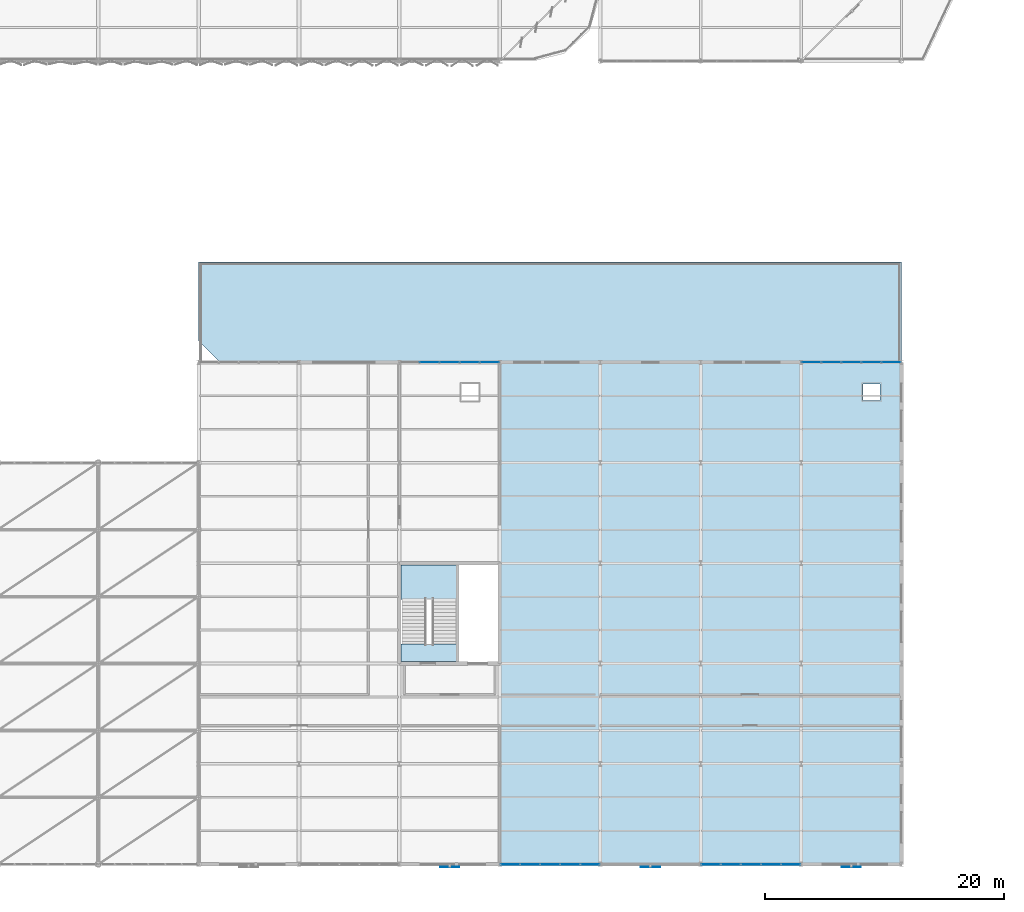
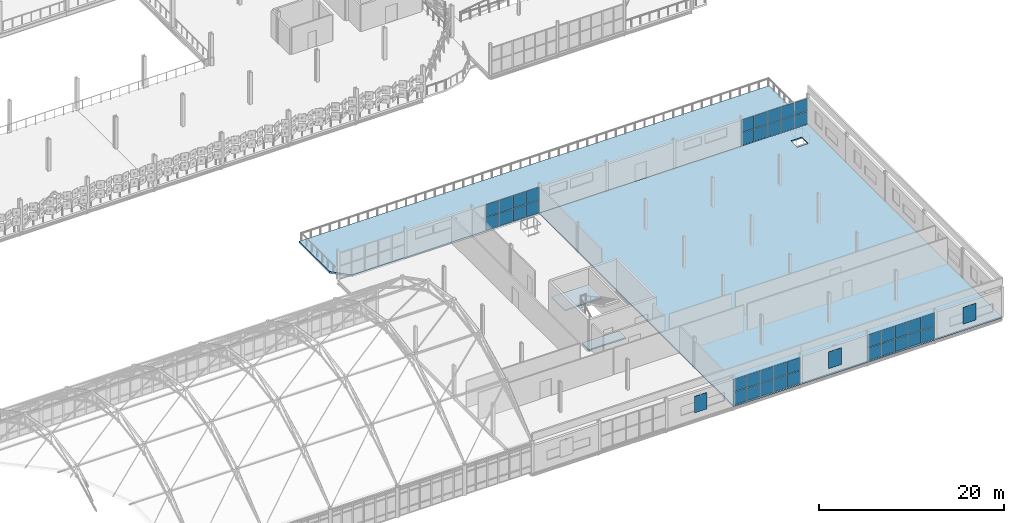
# One storey, part 148 of 184: 41 plates, 4 slabs, 5 elements without a shape of their own.
"""IFC4 building model written with IfcOpenShell, lengths in metres."""

from ifc_helpers import new_model, si_unit, direction, frame, origin, origin_2d, place, context, subcontext, project, spatial, polyline, rectangle, outline, extrude, material, layer, layer_set, type_object, element, aggregate, save


model = new_model("IFC4")

# Units and contexts
model_context = context("Model", 3, precision=1e-05, world=origin(), true_north=direction((0.0, 1.0)))
body_context = subcontext(model_context, "Body", "Model", "MODEL_VIEW")
ifc_project = project(units=[si_unit("LENGTHUNIT", "METRE"), si_unit("AREAUNIT", "SQUARE_METRE"), si_unit("VOLUMEUNIT", "CUBIC_METRE"), si_unit("PLANEANGLEUNIT", "RADIAN"), si_unit("MASSUNIT", "GRAM", prefix="KILO")], contexts=[model_context])

# Site, building, storey
site_placement = place(None, origin())
site = spatial("IfcSite", under=ifc_project, at=site_placement, CompositionType="ELEMENT")
building_placement = place(site_placement, origin())
building = spatial("IfcBuilding", under=site, at=building_placement, Name="Qalvenar Corner Mobility Hub", CompositionType="ELEMENT")
storey_placement = place(building_placement, frame((0.0, 0.0, 9.0)))
storey = spatial("IfcBuildingStorey", under=building, at=storey_placement, Name="L02", CompositionType="ELEMENT", Elevation=9.0)

# Curtain wall, plates
ifc_material_1 = material(Name="Anodised Aluminium and Low-E Glazing", Category="aluminium")
ifc_layer_1 = layer(ifc_material_1, 0.14990234375)
ifc_layer_set_1 = layer_set([ifc_layer_1], Name="Anodised Aluminium and Low-E Glazing")
curtain_wall_type = type_object("IfcCurtainWallType", Name="CW-WKS-84X44", PredefinedType="NOTDEFINED", material=ifc_layer_set_1)
curtain_wall_1_placement = place(storey_placement, origin())
curtain_wall_1 = element("IfcCurtainWall", 1, at=curtain_wall_1_placement, inside=storey, type_object=curtain_wall_type, Name="Glazed Curtain Wall CW-V6-L02-S3", PredefinedType="NOTDEFINED")
ifc_material_2 = material(Name="Solar-Control Low-E Double Glazing", Category="glass")
ifc_layer_2 = layer(ifc_material_2, 0.028076171875)
ifc_layer_set_2 = layer_set([ifc_layer_2], Name="Solar-Control Low-E Double Glazing")
plate_type_1 = type_object("IfcPlateType", Name="PLT-CWP-GLZ1", PredefinedType="CURTAIN_PANEL", material=ifc_layer_set_2)
plate_1_placement = place(storey_placement, frame((135.2548828125, 0.0, 0.054931640625), z_axis=(0.0, 0.0, 1.0), x_axis=(1.0, 0.0, 0.0)))
plate_1 = element("IfcPlate", 2, at=plate_1_placement, type_object=plate_type_1, Name="CW-09 panel 1.1", PredefinedType="CURTAIN_PANEL", context=body_context, shape_type="SweptSolid", body=[
    extrude(rectangle(XDim=1.590087890625, YDim=0.028076171875, at=origin_2d()), origin(), (0.0, 0.0, 1.0), 1.6826171875),
])
plate_2_placement = place(storey_placement, frame((135.2548828125, 0.0, 1.79248046875), z_axis=(0.0, 0.0, 1.0), x_axis=(1.0, 0.0, 0.0)))
plate_2 = element("IfcPlate", 3, at=plate_2_placement, type_object=plate_type_1, Name="CW-09 panel 1.2", PredefinedType="CURTAIN_PANEL", context=body_context, shape_type="SweptSolid", body=[
    extrude(rectangle(XDim=1.590087890625, YDim=0.028076171875, at=origin_2d()), origin(), (0.0, 0.0, 1.0), 1.6826171875),
])
plate_3_placement = place(storey_placement, frame((136.919921875, 0.0, 0.054931640625), z_axis=(0.0, 0.0, 1.0), x_axis=(1.0, 0.0, 0.0)))
plate_3 = element("IfcPlate", 4, at=plate_3_placement, type_object=plate_type_1, Name="CW-09 panel 2.1", PredefinedType="CURTAIN_PANEL", context=body_context, shape_type="SweptSolid", body=[
    extrude(rectangle(XDim=1.6201171875, YDim=0.028076171875, at=origin_2d()), origin(), (0.0, 0.0, 1.0), 1.6826171875),
])
plate_4_placement = place(storey_placement, frame((136.919921875, 0.0, 1.79248046875), z_axis=(0.0, 0.0, 1.0), x_axis=(1.0, 0.0, 0.0)))
plate_4 = element("IfcPlate", 5, at=plate_4_placement, type_object=plate_type_1, Name="CW-09 panel 2.2", PredefinedType="CURTAIN_PANEL", context=body_context, shape_type="SweptSolid", body=[
    extrude(rectangle(XDim=1.6201171875, YDim=0.028076171875, at=origin_2d()), origin(), (0.0, 0.0, 1.0), 1.6826171875),
])
plate_5_placement = place(storey_placement, frame((138.60009765625, 0.0, 0.054931640625), z_axis=(0.0, 0.0, 1.0), x_axis=(1.0, 0.0, 0.0)))
plate_5 = element("IfcPlate", 6, at=plate_5_placement, type_object=plate_type_1, Name="CW-09 panel 3.1", PredefinedType="CURTAIN_PANEL", context=body_context, shape_type="SweptSolid", body=[
    extrude(rectangle(XDim=1.6201171875, YDim=0.028076171875, at=origin_2d()), origin(), (0.0, 0.0, 1.0), 1.6826171875),
])
plate_6_placement = place(storey_placement, frame((138.60009765625, 0.0, 1.79248046875), z_axis=(0.0, 0.0, 1.0), x_axis=(1.0, 0.0, 0.0)))
plate_6 = element("IfcPlate", 7, at=plate_6_placement, type_object=plate_type_1, Name="CW-09 panel 3.2", PredefinedType="CURTAIN_PANEL", context=body_context, shape_type="SweptSolid", body=[
    extrude(rectangle(XDim=1.6201171875, YDim=0.028076171875, at=origin_2d()), origin(), (0.0, 0.0, 1.0), 1.6826171875),
])
plate_7_placement = place(storey_placement, frame((140.280029296875, 0.0, 0.054931640625), z_axis=(0.0, 0.0, 1.0), x_axis=(1.0, 0.0, 0.0)))
plate_7 = element("IfcPlate", 8, at=plate_7_placement, type_object=plate_type_1, Name="CW-09 panel 4.1", PredefinedType="CURTAIN_PANEL", context=body_context, shape_type="SweptSolid", body=[
    extrude(rectangle(XDim=1.6201171875, YDim=0.028076171875, at=origin_2d()), origin(), (0.0, 0.0, 1.0), 1.6826171875),
])
plate_8_placement = place(storey_placement, frame((140.280029296875, 0.0, 1.79248046875), z_axis=(0.0, 0.0, 1.0), x_axis=(1.0, 0.0, 0.0)))
plate_8 = element("IfcPlate", 9, at=plate_8_placement, type_object=plate_type_1, Name="CW-09 panel 4.2", PredefinedType="CURTAIN_PANEL", context=body_context, shape_type="SweptSolid", body=[
    extrude(rectangle(XDim=1.6201171875, YDim=0.028076171875, at=origin_2d()), origin(), (0.0, 0.0, 1.0), 1.6826171875),
])
plate_9_placement = place(storey_placement, frame((141.945068359375, 0.0, 0.054931640625), z_axis=(0.0, 0.0, 1.0), x_axis=(1.0, 0.0, 0.0)))
plate_9 = element("IfcPlate", 10, at=plate_9_placement, type_object=plate_type_1, Name="CW-09 panel 5.1", PredefinedType="CURTAIN_PANEL", context=body_context, shape_type="SweptSolid", body=[
    extrude(rectangle(XDim=1.590087890625, YDim=0.028076171875, at=origin_2d()), origin(), (0.0, 0.0, 1.0), 1.6826171875),
])
plate_10_placement = place(storey_placement, frame((141.945068359375, 0.0, 1.79248046875), z_axis=(0.0, 0.0, 1.0), x_axis=(1.0, 0.0, 0.0)))
plate_10 = element("IfcPlate", 11, at=plate_10_placement, type_object=plate_type_1, Name="CW-09 panel 5.2", PredefinedType="CURTAIN_PANEL", context=body_context, shape_type="SweptSolid", body=[
    extrude(rectangle(XDim=1.590087890625, YDim=0.028076171875, at=origin_2d()), origin(), (0.0, 0.0, 1.0), 1.6826171875),
])
aggregate(curtain_wall_1, [plate_1, plate_2, plate_3, plate_4, plate_5, plate_6, plate_7, plate_8, plate_9, plate_10])

curtain_wall_2_placement = place(storey_placement, origin())
curtain_wall_2 = element("IfcCurtainWall", 12, at=curtain_wall_2_placement, inside=storey, type_object=curtain_wall_type, Name="Glazed Curtain Wall CW-V6-L02-S5", PredefinedType="NOTDEFINED")
plate_11_placement = place(storey_placement, frame((152.054931640625, 0.0, 0.054931640625), z_axis=(0.0, 0.0, 1.0), x_axis=(1.0, 0.0, 0.0)))
plate_11 = element("IfcPlate", 13, at=plate_11_placement, type_object=plate_type_1, Name="CW-09 panel 1.1", PredefinedType="CURTAIN_PANEL", context=body_context, shape_type="SweptSolid", body=[
    extrude(rectangle(XDim=1.590087890625, YDim=0.028076171875, at=origin_2d()), origin(), (0.0, 0.0, 1.0), 1.6826171875),
])
plate_12_placement = place(storey_placement, frame((152.054931640625, 0.0, 1.79248046875), z_axis=(0.0, 0.0, 1.0), x_axis=(1.0, 0.0, 0.0)))
plate_12 = element("IfcPlate", 14, at=plate_12_placement, type_object=plate_type_1, Name="CW-09 panel 1.2", PredefinedType="CURTAIN_PANEL", context=body_context, shape_type="SweptSolid", body=[
    extrude(rectangle(XDim=1.590087890625, YDim=0.028076171875, at=origin_2d()), origin(), (0.0, 0.0, 1.0), 1.6826171875),
])
plate_13_placement = place(storey_placement, frame((153.719970703125, 0.0, 0.054931640625), z_axis=(0.0, 0.0, 1.0), x_axis=(1.0, 0.0, 0.0)))
plate_13 = element("IfcPlate", 15, at=plate_13_placement, type_object=plate_type_1, Name="CW-09 panel 2.1", PredefinedType="CURTAIN_PANEL", context=body_context, shape_type="SweptSolid", body=[
    extrude(rectangle(XDim=1.6201171875, YDim=0.028076171875, at=origin_2d()), origin(), (0.0, 0.0, 1.0), 1.6826171875),
])
plate_14_placement = place(storey_placement, frame((153.719970703125, 0.0, 1.79248046875), z_axis=(0.0, 0.0, 1.0), x_axis=(1.0, 0.0, 0.0)))
plate_14 = element("IfcPlate", 16, at=plate_14_placement, type_object=plate_type_1, Name="CW-09 panel 2.2", PredefinedType="CURTAIN_PANEL", context=body_context, shape_type="SweptSolid", body=[
    extrude(rectangle(XDim=1.6201171875, YDim=0.028076171875, at=origin_2d()), origin(), (0.0, 0.0, 1.0), 1.6826171875),
])
plate_15_placement = place(storey_placement, frame((155.39990234375, 0.0, 0.054931640625), z_axis=(0.0, 0.0, 1.0), x_axis=(1.0, 0.0, 0.0)))
plate_15 = element("IfcPlate", 17, at=plate_15_placement, type_object=plate_type_1, Name="CW-09 panel 3.1", PredefinedType="CURTAIN_PANEL", context=body_context, shape_type="SweptSolid", body=[
    extrude(rectangle(XDim=1.6201171875, YDim=0.028076171875, at=origin_2d()), origin(), (0.0, 0.0, 1.0), 1.6826171875),
])
plate_16_placement = place(storey_placement, frame((155.39990234375, 0.0, 1.79248046875), z_axis=(0.0, 0.0, 1.0), x_axis=(1.0, 0.0, 0.0)))
plate_16 = element("IfcPlate", 18, at=plate_16_placement, type_object=plate_type_1, Name="CW-09 panel 3.2", PredefinedType="CURTAIN_PANEL", context=body_context, shape_type="SweptSolid", body=[
    extrude(rectangle(XDim=1.6201171875, YDim=0.028076171875, at=origin_2d()), origin(), (0.0, 0.0, 1.0), 1.6826171875),
])
plate_17_placement = place(storey_placement, frame((157.080078125, 0.0, 0.054931640625), z_axis=(0.0, 0.0, 1.0), x_axis=(1.0, 0.0, 0.0)))
plate_17 = element("IfcPlate", 19, at=plate_17_placement, type_object=plate_type_1, Name="CW-09 panel 4.1", PredefinedType="CURTAIN_PANEL", context=body_context, shape_type="SweptSolid", body=[
    extrude(rectangle(XDim=1.6201171875, YDim=0.028076171875, at=origin_2d()), origin(), (0.0, 0.0, 1.0), 1.6826171875),
])
plate_18_placement = place(storey_placement, frame((157.080078125, 0.0, 1.79248046875), z_axis=(0.0, 0.0, 1.0), x_axis=(1.0, 0.0, 0.0)))
plate_18 = element("IfcPlate", 20, at=plate_18_placement, type_object=plate_type_1, Name="CW-09 panel 4.2", PredefinedType="CURTAIN_PANEL", context=body_context, shape_type="SweptSolid", body=[
    extrude(rectangle(XDim=1.6201171875, YDim=0.028076171875, at=origin_2d()), origin(), (0.0, 0.0, 1.0), 1.6826171875),
])
plate_19_placement = place(storey_placement, frame((158.7451171875, 0.0, 0.054931640625), z_axis=(0.0, 0.0, 1.0), x_axis=(1.0, 0.0, 0.0)))
plate_19 = element("IfcPlate", 21, at=plate_19_placement, type_object=plate_type_1, Name="CW-09 panel 5.1", PredefinedType="CURTAIN_PANEL", context=body_context, shape_type="SweptSolid", body=[
    extrude(rectangle(XDim=1.590087890625, YDim=0.028076171875, at=origin_2d()), origin(), (0.0, 0.0, 1.0), 1.6826171875),
])
plate_20_placement = place(storey_placement, frame((158.7451171875, 0.0, 1.79248046875), z_axis=(0.0, 0.0, 1.0), x_axis=(1.0, 0.0, 0.0)))
plate_20 = element("IfcPlate", 22, at=plate_20_placement, type_object=plate_type_1, Name="CW-09 panel 5.2", PredefinedType="CURTAIN_PANEL", context=body_context, shape_type="SweptSolid", body=[
    extrude(rectangle(XDim=1.590087890625, YDim=0.028076171875, at=origin_2d()), origin(), (0.0, 0.0, 1.0), 1.6826171875),
])
aggregate(curtain_wall_2, [plate_11, plate_12, plate_13, plate_14, plate_15, plate_16, plate_17, plate_18, plate_19, plate_20])

curtain_wall_3_placement = place(storey_placement, origin())
curtain_wall_3 = element("IfcCurtainWall", 23, at=curtain_wall_3_placement, inside=storey, type_object=curtain_wall_type, Name="Glazed Curtain Wall CW-V6-L02-N2", PredefinedType="NOTDEFINED")
plate_21_placement = place(storey_placement, frame((133.544921875, 42.0, 0.054931640625), z_axis=(0.0, 0.0, 1.0), x_axis=(-1.0, 0.0, 0.0)))
plate_21 = element("IfcPlate", 24, at=plate_21_placement, type_object=plate_type_1, Name="CW-09 panel 1.1", PredefinedType="CURTAIN_PANEL", context=body_context, shape_type="SweptSolid", body=[
    extrude(rectangle(XDim=1.590087890625, YDim=0.028076171875, at=origin_2d()), origin(), (0.0, 0.0, 1.0), 1.6826171875),
])
plate_22_placement = place(storey_placement, frame((133.544921875, 42.0, 1.79248046875), z_axis=(0.0, 0.0, 1.0), x_axis=(-1.0, 0.0, 0.0)))
plate_22 = element("IfcPlate", 25, at=plate_22_placement, type_object=plate_type_1, Name="CW-09 panel 1.2", PredefinedType="CURTAIN_PANEL", context=body_context, shape_type="SweptSolid", body=[
    extrude(rectangle(XDim=1.590087890625, YDim=0.028076171875, at=origin_2d()), origin(), (0.0, 0.0, 1.0), 1.6826171875),
])
plate_23_placement = place(storey_placement, frame((131.8798828125, 42.0, 0.054931640625), z_axis=(0.0, 0.0, 1.0), x_axis=(-1.0, 0.0, 0.0)))
plate_23 = element("IfcPlate", 26, at=plate_23_placement, type_object=plate_type_1, Name="CW-09 panel 2.1", PredefinedType="CURTAIN_PANEL", context=body_context, shape_type="SweptSolid", body=[
    extrude(rectangle(XDim=1.6201171875, YDim=0.028076171875, at=origin_2d()), origin(), (0.0, 0.0, 1.0), 1.6826171875),
])
plate_24_placement = place(storey_placement, frame((131.8798828125, 42.0, 1.79248046875), z_axis=(0.0, 0.0, 1.0), x_axis=(-1.0, 0.0, 0.0)))
plate_24 = element("IfcPlate", 27, at=plate_24_placement, type_object=plate_type_1, Name="CW-09 panel 2.2", PredefinedType="CURTAIN_PANEL", context=body_context, shape_type="SweptSolid", body=[
    extrude(rectangle(XDim=1.6201171875, YDim=0.028076171875, at=origin_2d()), origin(), (0.0, 0.0, 1.0), 1.6826171875),
])
plate_25_placement = place(storey_placement, frame((130.199951171875, 42.0, 0.054931640625), z_axis=(0.0, 0.0, 1.0), x_axis=(-1.0, 0.0, 0.0)))
plate_25 = element("IfcPlate", 28, at=plate_25_placement, type_object=plate_type_1, Name="CW-09 panel 3.1", PredefinedType="CURTAIN_PANEL", context=body_context, shape_type="SweptSolid", body=[
    extrude(rectangle(XDim=1.6201171875, YDim=0.028076171875, at=origin_2d()), origin(), (0.0, 0.0, 1.0), 1.6826171875),
])
plate_26_placement = place(storey_placement, frame((130.199951171875, 42.0, 1.79248046875), z_axis=(0.0, 0.0, 1.0), x_axis=(-1.0, 0.0, 0.0)))
plate_26 = element("IfcPlate", 29, at=plate_26_placement, type_object=plate_type_1, Name="CW-09 panel 3.2", PredefinedType="CURTAIN_PANEL", context=body_context, shape_type="SweptSolid", body=[
    extrude(rectangle(XDim=1.6201171875, YDim=0.028076171875, at=origin_2d()), origin(), (0.0, 0.0, 1.0), 1.6826171875),
])
plate_27_placement = place(storey_placement, frame((128.52001953125, 42.0, 0.054931640625), z_axis=(0.0, 0.0, 1.0), x_axis=(-1.0, 0.0, 0.0)))
plate_27 = element("IfcPlate", 30, at=plate_27_placement, type_object=plate_type_1, Name="CW-09 panel 4.1", PredefinedType="CURTAIN_PANEL", context=body_context, shape_type="SweptSolid", body=[
    extrude(rectangle(XDim=1.6201171875, YDim=0.028076171875, at=origin_2d()), origin(), (0.0, 0.0, 1.0), 1.6826171875),
])
plate_28_placement = place(storey_placement, frame((128.52001953125, 42.0, 1.79248046875), z_axis=(0.0, 0.0, 1.0), x_axis=(-1.0, 0.0, 0.0)))
plate_28 = element("IfcPlate", 31, at=plate_28_placement, type_object=plate_type_1, Name="CW-09 panel 4.2", PredefinedType="CURTAIN_PANEL", context=body_context, shape_type="SweptSolid", body=[
    extrude(rectangle(XDim=1.6201171875, YDim=0.028076171875, at=origin_2d()), origin(), (0.0, 0.0, 1.0), 1.6826171875),
])
aggregate(curtain_wall_3, [plate_21, plate_22, plate_23, plate_24, plate_25, plate_26, plate_27, plate_28])

curtain_wall_4_placement = place(storey_placement, origin())
curtain_wall_4 = element("IfcCurtainWall", 32, at=curtain_wall_4_placement, inside=storey, type_object=curtain_wall_type, Name="Glazed Curtain Wall CW-V6-L02-N6", PredefinedType="NOTDEFINED")
plate_29_placement = place(storey_placement, frame((167.14501953125, 42.0, 0.054931640625), z_axis=(0.0, 0.0, 1.0), x_axis=(-1.0, 0.0, 0.0)))
plate_29 = element("IfcPlate", 33, at=plate_29_placement, type_object=plate_type_1, Name="CW-09 panel 1.1", PredefinedType="CURTAIN_PANEL", context=body_context, shape_type="SweptSolid", body=[
    extrude(rectangle(XDim=1.590087890625, YDim=0.028076171875, at=origin_2d()), origin(), (0.0, 0.0, 1.0), 1.6826171875),
])
plate_30_placement = place(storey_placement, frame((167.14501953125, 42.0, 1.79248046875), z_axis=(0.0, 0.0, 1.0), x_axis=(-1.0, 0.0, 0.0)))
plate_30 = element("IfcPlate", 34, at=plate_30_placement, type_object=plate_type_1, Name="CW-09 panel 1.2", PredefinedType="CURTAIN_PANEL", context=body_context, shape_type="SweptSolid", body=[
    extrude(rectangle(XDim=1.590087890625, YDim=0.028076171875, at=origin_2d()), origin(), (0.0, 0.0, 1.0), 1.6826171875),
])
plate_31_placement = place(storey_placement, frame((165.47998046875, 42.0, 0.054931640625), z_axis=(0.0, 0.0, 1.0), x_axis=(-1.0, 0.0, 0.0)))
plate_31 = element("IfcPlate", 35, at=plate_31_placement, type_object=plate_type_1, Name="CW-09 panel 2.1", PredefinedType="CURTAIN_PANEL", context=body_context, shape_type="SweptSolid", body=[
    extrude(rectangle(XDim=1.6201171875, YDim=0.028076171875, at=origin_2d()), origin(), (0.0, 0.0, 1.0), 1.6826171875),
])
plate_32_placement = place(storey_placement, frame((165.47998046875, 42.0, 1.79248046875), z_axis=(0.0, 0.0, 1.0), x_axis=(-1.0, 0.0, 0.0)))
plate_32 = element("IfcPlate", 36, at=plate_32_placement, type_object=plate_type_1, Name="CW-09 panel 2.2", PredefinedType="CURTAIN_PANEL", context=body_context, shape_type="SweptSolid", body=[
    extrude(rectangle(XDim=1.6201171875, YDim=0.028076171875, at=origin_2d()), origin(), (0.0, 0.0, 1.0), 1.6826171875),
])
plate_33_placement = place(storey_placement, frame((163.800048828125, 42.0, 0.054931640625), z_axis=(0.0, 0.0, 1.0), x_axis=(-1.0, 0.0, 0.0)))
plate_33 = element("IfcPlate", 37, at=plate_33_placement, type_object=plate_type_1, Name="CW-09 panel 3.1", PredefinedType="CURTAIN_PANEL", context=body_context, shape_type="SweptSolid", body=[
    extrude(rectangle(XDim=1.6201171875, YDim=0.028076171875, at=origin_2d()), origin(), (0.0, 0.0, 1.0), 1.6826171875),
])
plate_34_placement = place(storey_placement, frame((163.800048828125, 42.0, 1.79248046875), z_axis=(0.0, 0.0, 1.0), x_axis=(-1.0, 0.0, 0.0)))
plate_34 = element("IfcPlate", 38, at=plate_34_placement, type_object=plate_type_1, Name="CW-09 panel 3.2", PredefinedType="CURTAIN_PANEL", context=body_context, shape_type="SweptSolid", body=[
    extrude(rectangle(XDim=1.6201171875, YDim=0.028076171875, at=origin_2d()), origin(), (0.0, 0.0, 1.0), 1.6826171875),
])
plate_35_placement = place(storey_placement, frame((162.1201171875, 42.0, 0.054931640625), z_axis=(0.0, 0.0, 1.0), x_axis=(-1.0, 0.0, 0.0)))
plate_35 = element("IfcPlate", 39, at=plate_35_placement, type_object=plate_type_1, Name="CW-09 panel 4.1", PredefinedType="CURTAIN_PANEL", context=body_context, shape_type="SweptSolid", body=[
    extrude(rectangle(XDim=1.6201171875, YDim=0.028076171875, at=origin_2d()), origin(), (0.0, 0.0, 1.0), 1.6826171875),
])
plate_36_placement = place(storey_placement, frame((162.1201171875, 42.0, 1.79248046875), z_axis=(0.0, 0.0, 1.0), x_axis=(-1.0, 0.0, 0.0)))
plate_36 = element("IfcPlate", 40, at=plate_36_placement, type_object=plate_type_1, Name="CW-09 panel 4.2", PredefinedType="CURTAIN_PANEL", context=body_context, shape_type="SweptSolid", body=[
    extrude(rectangle(XDim=1.6201171875, YDim=0.028076171875, at=origin_2d()), origin(), (0.0, 0.0, 1.0), 1.6826171875),
])
plate_37_placement = place(storey_placement, frame((160.455078125, 42.0, 0.054931640625), z_axis=(0.0, 0.0, 1.0), x_axis=(-1.0, 0.0, 0.0)))
plate_37 = element("IfcPlate", 41, at=plate_37_placement, type_object=plate_type_1, Name="CW-09 panel 5.1", PredefinedType="CURTAIN_PANEL", context=body_context, shape_type="SweptSolid", body=[
    extrude(rectangle(XDim=1.590087890625, YDim=0.028076171875, at=origin_2d()), origin(), (0.0, 0.0, 1.0), 1.6826171875),
])
plate_38_placement = place(storey_placement, frame((160.455078125, 42.0, 1.79248046875), z_axis=(0.0, 0.0, 1.0), x_axis=(-1.0, 0.0, 0.0)))
plate_38 = element("IfcPlate", 42, at=plate_38_placement, type_object=plate_type_1, Name="CW-09 panel 5.2", PredefinedType="CURTAIN_PANEL", context=body_context, shape_type="SweptSolid", body=[
    extrude(rectangle(XDim=1.590087890625, YDim=0.028076171875, at=origin_2d()), origin(), (0.0, 0.0, 1.0), 1.6826171875),
])
aggregate(curtain_wall_4, [plate_29, plate_30, plate_31, plate_32, plate_33, plate_34, plate_35, plate_36, plate_37, plate_38])

# Plates
ifc_material_3 = material(Name="Perforated Ochre Sun-Louvre Aluminium", Category="aluminium")
ifc_layer_3 = layer(ifc_material_3, 0.031982421875)
ifc_layer_set_3 = layer_set([ifc_layer_3], Name="Perforated Ochre Sun-Louvre Aluminium")
plate_type_2 = type_object("IfcPlateType", Name="PLT-SCR-WKS", PredefinedType="SHEET", material=ifc_layer_set_3)
for number, where, z_axis, x_axis, name in (
    (43, (130.199951171875, -0.219970703125, 0.89990234375), (0.0, 0.0, 1.0), (1.0, 0.0, 0.0), "Workshop Sun Louvre SC3-L02-2"),
    (44, (147.0, -0.219970703125, 0.89990234375), (0.0, 0.0, 1.0), (1.0, 0.0, 0.0), "Workshop Sun Louvre SC3-L02-4"),
    (45, (163.800048828125, -0.219970703125, 0.89990234375), (0.0, 0.0, 1.0), (1.0, 0.0, 0.0), "Workshop Sun Louvre SC3-L02-6"),
):
    element("IfcPlate", number, at=place(storey_placement, frame(where, z_axis=z_axis, x_axis=x_axis)), inside=storey, type_object=plate_type_2, Name=name, PredefinedType="SHEET", context=body_context, shape_type="SweptSolid", body=[
        extrude(rectangle(XDim=1.60009765625, YDim=0.031982421875, at=origin_2d()), origin(), (0.0, 0.0, 1.0), 2.199951171875),
    ])

# Slab
ifc_material_4 = material(Name="Concrete C35/45", Category="concrete")
ifc_layer_4 = layer(ifc_material_4, 0.179931640625)
ifc_layer_set_4 = layer_set([ifc_layer_4], Name="Concrete C35/45")
slab_type_1 = type_object("IfcSlabType", Name="SLB-COMP180", PredefinedType="FLOOR", material=ifc_layer_set_4)
slab_1_placement = place(storey_placement, frame((0.0, 0.0, -0.179931640625)))
element("IfcSlab", 46, at=slab_1_placement, inside=storey, type_object=slab_type_1, Name="Composite Slab V6-B-L02", PredefinedType="FLOOR", context=body_context, shape_type="SweptSolid", body=[
    extrude(outline(polyline([(134.39990234375, 0.0), (168.0, 0.0), (168.0, 42.0), (134.39990234375, 42.0), (134.39990234375, 0.0)]), holes=[polyline([(164.800048828125, 38.800048828125), (166.199951171875, 38.800048828125), (166.199951171875, 40.199951171875), (164.800048828125, 40.199951171875), (164.800048828125, 38.800048828125)])]), origin(), (0.0, 0.0, 1.0), 0.179931640625),
])

# Stair, slab
stair_type = type_object("IfcStairType", Name="STR-200-H42", PredefinedType="HALF_TURN_STAIR", material=ifc_material_4)
stair_placement = place(storey_placement, origin())
stair = element("IfcStair", 47, at=stair_placement, inside=storey, type_object=stair_type, Name="Exit Stair ST6 L02-L03", PredefinedType="HALF_TURN_STAIR")
ifc_layer_5 = layer(ifc_material_4, 0.179931640625)
ifc_layer_set_5 = layer_set([ifc_layer_5], Name="Concrete C35/45")
slab_type_2 = type_object("IfcSlabType", Name="SLB-LND180", PredefinedType="LANDING", material=ifc_layer_set_5)
slab_2_placement = place(storey_placement, frame((0.0, 0.0, 1.919921875)))
slab_2 = element("IfcSlab", 48, at=slab_2_placement, type_object=slab_type_2, Name="ST6 landing 1", PredefinedType="LANDING", context=body_context, shape_type="SweptSolid", body=[
    extrude(outline(polyline([(126.139892578125, 22.14990234375), (130.780029296875, 22.14990234375), (130.780029296875, 25.06005859375), (126.139892578125, 25.06005859375), (126.139892578125, 22.14990234375)])), origin(), (0.0, 0.0, 1.0), 0.18017578125),
])
aggregate(stair, [slab_2])

# Slabs
ifc_layer_6 = layer(ifc_material_4, 0.175048828125)
ifc_layer_set_6 = layer_set([ifc_layer_6], Name="Concrete C35/45")
slab_type_3 = type_object("IfcSlabType", Name="SLB-LND200", PredefinedType="LANDING", material=ifc_layer_set_6)
slab_3_placement = place(storey_placement, frame((0.0, 0.0, -0.175048828125)))
element("IfcSlab", 49, at=slab_3_placement, inside=storey, type_object=slab_type_3, Name="Core Stair Arrival Landing C6-L02", PredefinedType="LANDING", context=body_context, shape_type="SweptSolid", body=[
    extrude(outline(polyline([(126.14990234375, 16.949951171875), (130.77001953125, 16.949951171875), (130.77001953125, 18.449951171875), (126.14990234375, 18.449951171875), (126.14990234375, 16.949951171875)])), origin(), (0.0, 0.0, 1.0), 0.175048828125),
])
ifc_material_5 = material(Name="Concrete C35/45", Category="concrete")
ifc_layer_7 = layer(ifc_material_5, 0.241943359375)
ifc_layer_set_7 = layer_set([ifc_layer_7], Name="Concrete C35/45")
slab_type_4 = type_object("IfcSlabType", Name="SLB-TERR210", PredefinedType="FLOOR", material=ifc_layer_set_7)
slab_4_placement = place(storey_placement, frame((0.0, 0.0, -0.241943359375)))
element("IfcSlab", 50, at=slab_4_placement, inside=storey, type_object=slab_type_4, Name="Walkable Terrace Slab TER-V6-L02", PredefinedType="FLOOR", context=body_context, shape_type="SweptSolid", body=[
    extrude(outline(polyline([(111.0, 42.0), (168.0, 42.0), (168.0, 50.39990234375), (109.199951171875, 50.39990234375), (109.199951171875, 43.800048828125), (111.0, 42.0)])), origin(), (0.0, 0.0, 1.0), 0.241943359375),
])

save(model, "model.ifc")
